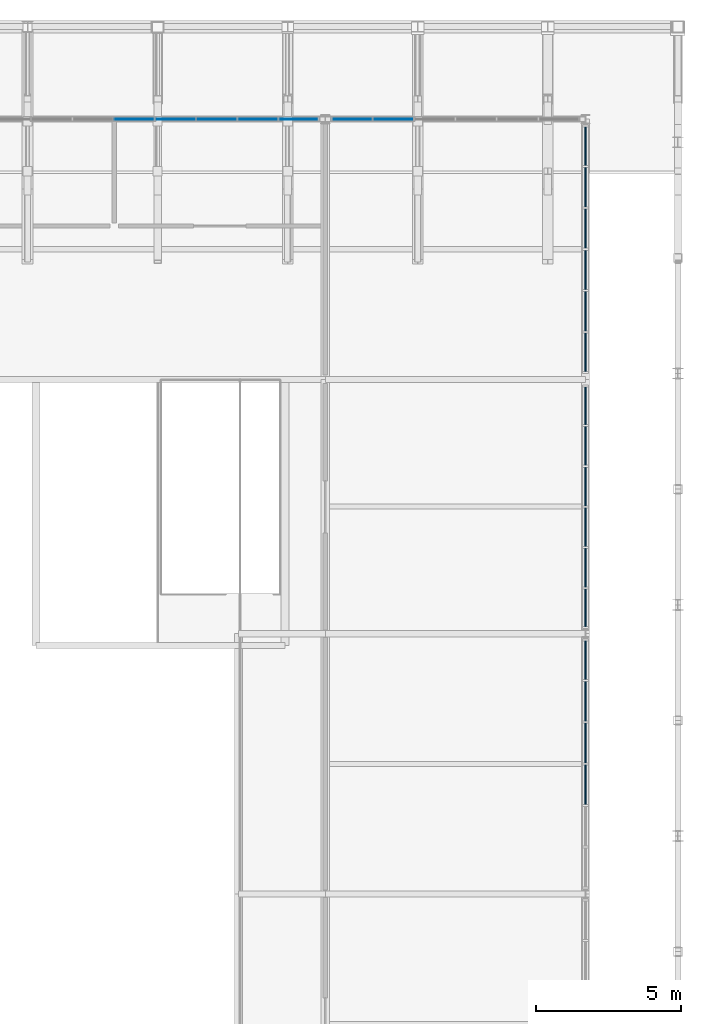
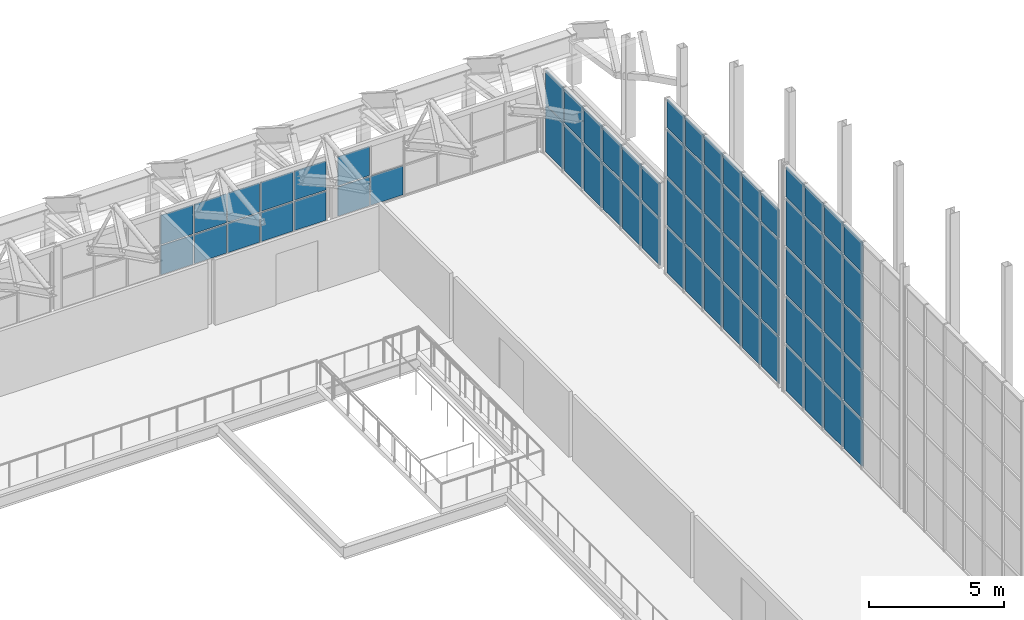
# One storey, part 104 of 134: 69 plates, 5 elements without a shape of their own.
"""IFC4 building model written with IfcOpenShell, lengths in metres."""

from ifc_helpers import new_model, si_unit, direction, frame, origin, origin_2d, place, context, subcontext, project, spatial, rectangle, extrude, material, layer, layer_set, type_object, element, aggregate, save


model = new_model("IFC4")

# Units and contexts
model_context = context("Model", 3, precision=1e-05, world=origin(), true_north=direction((0.0, 1.0)))
body_context = subcontext(model_context, "Body", "Model", "MODEL_VIEW")
ifc_project = project(units=[si_unit("LENGTHUNIT", "METRE"), si_unit("AREAUNIT", "SQUARE_METRE"), si_unit("VOLUMEUNIT", "CUBIC_METRE"), si_unit("PLANEANGLEUNIT", "RADIAN"), si_unit("MASSUNIT", "GRAM", prefix="KILO")], contexts=[model_context])

# Site, building, storey
site_placement = place(None, origin())
site = spatial("IfcSite", under=ifc_project, at=site_placement, CompositionType="ELEMENT")
building_placement = place(site_placement, origin())
building = spatial("IfcBuilding", under=site, at=building_placement, Name="Cazmaro Siding Exhibition Halls", CompositionType="ELEMENT")
storey_placement = place(building_placement, frame((0.0, 0.0, 12.0)))
storey = spatial("IfcBuildingStorey", under=building, at=storey_placement, Name="L02", CompositionType="ELEMENT", Elevation=12.0)

# Curtain wall, plates
ifc_material_1 = material(Name="Anodized Bronze Aluminum and Solar-Control Low-E Glazing", Category="aluminium")
ifc_layer_1 = layer(ifc_material_1, 0.219970703125)
ifc_layer_set_1 = layer_set([ifc_layer_1], Name="Anodized Bronze Aluminum and Solar-Control Low-E Glazing")
curtain_wall_type_1 = type_object("IfcCurtainWallType", Name="CWS-03", PredefinedType="USERDEFINED", material=ifc_layer_set_1)
curtain_wall_1_placement = place(storey_placement, origin())
curtain_wall_1 = element("IfcCurtainWall", 1, at=curtain_wall_1_placement, inside=storey, type_object=curtain_wall_type_1, Name="Glazed Curtain Wall CWS-03 CW-073", ObjectType="GLAZED CURTAIN WALL", PredefinedType="USERDEFINED")
ifc_material_2 = material(Name="Solar-Control Low-E Double Insulating Glass", Category="glass")
ifc_layer_2 = layer(ifc_material_2, 0.0458984375)
ifc_layer_set_2 = layer_set([ifc_layer_2], Name="Solar-Control Low-E Double Insulating Glass")
plate_type_1 = type_object("IfcPlateType", Name="CWP-03", PredefinedType="CURTAIN_PANEL", material=ifc_layer_set_2)
plate_1_placement = place(storey_placement, frame((167.800048828125, 97.779541015625, 0.06982421875), z_axis=(0.0, 0.0, 1.0), x_axis=(0.0, 1.0, 0.0)))
plate_1 = element("IfcPlate", 2, at=plate_1_placement, type_object=plate_type_1, Name="CWS-03 panel 3.1", PredefinedType="CURTAIN_PANEL", context=body_context, shape_type="SweptSolid", body=[
    extrude(rectangle(XDim=1.37109375, YDim=0.0458984375, at=origin_2d()), origin(), (0.0, 0.0, 1.0), 2.094970703125),
])
plate_2_placement = place(storey_placement, frame((167.800048828125, 97.779541015625, 2.235107421875), z_axis=(0.0, 0.0, 1.0), x_axis=(0.0, 1.0, 0.0)))
plate_2 = element("IfcPlate", 3, at=plate_2_placement, type_object=plate_type_1, Name="CWS-03 panel 3.2", PredefinedType="CURTAIN_PANEL", context=body_context, shape_type="SweptSolid", body=[
    extrude(rectangle(XDim=1.37109375, YDim=0.0458984375, at=origin_2d()), origin(), (0.0, 0.0, 1.0), 2.1298828125),
])
plate_3_placement = place(storey_placement, frame((167.800048828125, 97.779541015625, 4.43505859375), z_axis=(0.0, 0.0, 1.0), x_axis=(0.0, 1.0, 0.0)))
plate_3 = element("IfcPlate", 4, at=plate_3_placement, type_object=plate_type_1, Name="CWS-03 panel 3.3", PredefinedType="CURTAIN_PANEL", context=body_context, shape_type="SweptSolid", body=[
    extrude(rectangle(XDim=1.37109375, YDim=0.0458984375, at=origin_2d()), origin(), (0.0, 0.0, 1.0), 2.1298828125),
])
plate_4_placement = place(storey_placement, frame((167.800048828125, 97.779541015625, 6.635009765625), z_axis=(0.0, 0.0, 1.0), x_axis=(0.0, 1.0, 0.0)))
plate_4 = element("IfcPlate", 5, at=plate_4_placement, type_object=plate_type_1, Name="CWS-03 panel 3.4", PredefinedType="CURTAIN_PANEL", context=body_context, shape_type="SweptSolid", body=[
    extrude(rectangle(XDim=1.37109375, YDim=0.0458984375, at=origin_2d()), origin(), (0.0, 0.0, 1.0), 2.1298828125),
])
plate_5_placement = place(storey_placement, frame((167.800048828125, 97.779541015625, 8.8349609375), z_axis=(0.0, 0.0, 1.0), x_axis=(0.0, 1.0, 0.0)))
plate_5 = element("IfcPlate", 6, at=plate_5_placement, type_object=plate_type_1, Name="CWS-03 panel 3.5", PredefinedType="CURTAIN_PANEL", context=body_context, shape_type="SweptSolid", body=[
    extrude(rectangle(XDim=1.37109375, YDim=0.0458984375, at=origin_2d()), origin(), (0.0, 0.0, 1.0), 1.35302734375),
])
plate_6_placement = place(storey_placement, frame((167.800048828125, 99.220458984375, 0.06982421875), z_axis=(0.0, 0.0, 1.0), x_axis=(0.0, 1.0, 0.0)))
plate_6 = element("IfcPlate", 7, at=plate_6_placement, type_object=plate_type_1, Name="CWS-03 panel 4.1", PredefinedType="CURTAIN_PANEL", context=body_context, shape_type="SweptSolid", body=[
    extrude(rectangle(XDim=1.37109375, YDim=0.0458984375, at=origin_2d()), origin(), (0.0, 0.0, 1.0), 2.094970703125),
])
plate_7_placement = place(storey_placement, frame((167.800048828125, 99.220458984375, 2.235107421875), z_axis=(0.0, 0.0, 1.0), x_axis=(0.0, 1.0, 0.0)))
plate_7 = element("IfcPlate", 8, at=plate_7_placement, type_object=plate_type_1, Name="CWS-03 panel 4.2", PredefinedType="CURTAIN_PANEL", context=body_context, shape_type="SweptSolid", body=[
    extrude(rectangle(XDim=1.37109375, YDim=0.0458984375, at=origin_2d()), origin(), (0.0, 0.0, 1.0), 2.1298828125),
])
plate_8_placement = place(storey_placement, frame((167.800048828125, 99.220458984375, 4.43505859375), z_axis=(0.0, 0.0, 1.0), x_axis=(0.0, 1.0, 0.0)))
plate_8 = element("IfcPlate", 9, at=plate_8_placement, type_object=plate_type_1, Name="CWS-03 panel 4.3", PredefinedType="CURTAIN_PANEL", context=body_context, shape_type="SweptSolid", body=[
    extrude(rectangle(XDim=1.37109375, YDim=0.0458984375, at=origin_2d()), origin(), (0.0, 0.0, 1.0), 2.1298828125),
])
plate_9_placement = place(storey_placement, frame((167.800048828125, 99.220458984375, 6.635009765625), z_axis=(0.0, 0.0, 1.0), x_axis=(0.0, 1.0, 0.0)))
plate_9 = element("IfcPlate", 10, at=plate_9_placement, type_object=plate_type_1, Name="CWS-03 panel 4.4", PredefinedType="CURTAIN_PANEL", context=body_context, shape_type="SweptSolid", body=[
    extrude(rectangle(XDim=1.37109375, YDim=0.0458984375, at=origin_2d()), origin(), (0.0, 0.0, 1.0), 2.1298828125),
])
plate_10_placement = place(storey_placement, frame((167.800048828125, 99.220458984375, 8.8349609375), z_axis=(0.0, 0.0, 1.0), x_axis=(0.0, 1.0, 0.0)))
plate_10 = element("IfcPlate", 11, at=plate_10_placement, type_object=plate_type_1, Name="CWS-03 panel 4.5", PredefinedType="CURTAIN_PANEL", context=body_context, shape_type="SweptSolid", body=[
    extrude(rectangle(XDim=1.37109375, YDim=0.0458984375, at=origin_2d()), origin(), (0.0, 0.0, 1.0), 1.35302734375),
])
plate_11_placement = place(storey_placement, frame((167.800048828125, 100.66162109375, 0.06982421875), z_axis=(0.0, 0.0, 1.0), x_axis=(0.0, 1.0, 0.0)))
plate_11 = element("IfcPlate", 12, at=plate_11_placement, type_object=plate_type_1, Name="CWS-03 panel 5.1", PredefinedType="CURTAIN_PANEL", context=body_context, shape_type="SweptSolid", body=[
    extrude(rectangle(XDim=1.37109375, YDim=0.0458984375, at=origin_2d()), origin(), (0.0, 0.0, 1.0), 2.094970703125),
])
plate_12_placement = place(storey_placement, frame((167.800048828125, 100.66162109375, 2.235107421875), z_axis=(0.0, 0.0, 1.0), x_axis=(0.0, 1.0, 0.0)))
plate_12 = element("IfcPlate", 13, at=plate_12_placement, type_object=plate_type_1, Name="CWS-03 panel 5.2", PredefinedType="CURTAIN_PANEL", context=body_context, shape_type="SweptSolid", body=[
    extrude(rectangle(XDim=1.37109375, YDim=0.0458984375, at=origin_2d()), origin(), (0.0, 0.0, 1.0), 2.1298828125),
])
plate_13_placement = place(storey_placement, frame((167.800048828125, 100.66162109375, 4.43505859375), z_axis=(0.0, 0.0, 1.0), x_axis=(0.0, 1.0, 0.0)))
plate_13 = element("IfcPlate", 14, at=plate_13_placement, type_object=plate_type_1, Name="CWS-03 panel 5.3", PredefinedType="CURTAIN_PANEL", context=body_context, shape_type="SweptSolid", body=[
    extrude(rectangle(XDim=1.37109375, YDim=0.0458984375, at=origin_2d()), origin(), (0.0, 0.0, 1.0), 2.1298828125),
])
plate_14_placement = place(storey_placement, frame((167.800048828125, 100.66162109375, 6.635009765625), z_axis=(0.0, 0.0, 1.0), x_axis=(0.0, 1.0, 0.0)))
plate_14 = element("IfcPlate", 15, at=plate_14_placement, type_object=plate_type_1, Name="CWS-03 panel 5.4", PredefinedType="CURTAIN_PANEL", context=body_context, shape_type="SweptSolid", body=[
    extrude(rectangle(XDim=1.37109375, YDim=0.0458984375, at=origin_2d()), origin(), (0.0, 0.0, 1.0), 2.1298828125),
])
plate_15_placement = place(storey_placement, frame((167.800048828125, 100.66162109375, 8.8349609375), z_axis=(0.0, 0.0, 1.0), x_axis=(0.0, 1.0, 0.0)))
plate_15 = element("IfcPlate", 16, at=plate_15_placement, type_object=plate_type_1, Name="CWS-03 panel 5.5", PredefinedType="CURTAIN_PANEL", context=body_context, shape_type="SweptSolid", body=[
    extrude(rectangle(XDim=1.37109375, YDim=0.0458984375, at=origin_2d()), origin(), (0.0, 0.0, 1.0), 1.35302734375),
])
plate_16_placement = place(storey_placement, frame((167.800048828125, 102.0849609375, 0.06982421875), z_axis=(0.0, 0.0, 1.0), x_axis=(0.0, 1.0, 0.0)))
plate_16 = element("IfcPlate", 17, at=plate_16_placement, type_object=plate_type_1, Name="CWS-03 panel 6.1", PredefinedType="CURTAIN_PANEL", context=body_context, shape_type="SweptSolid", body=[
    extrude(rectangle(XDim=1.3359375, YDim=0.0458984375, at=origin_2d()), origin(), (0.0, 0.0, 1.0), 2.094970703125),
])
plate_17_placement = place(storey_placement, frame((167.800048828125, 102.0849609375, 2.235107421875), z_axis=(0.0, 0.0, 1.0), x_axis=(0.0, 1.0, 0.0)))
plate_17 = element("IfcPlate", 18, at=plate_17_placement, type_object=plate_type_1, Name="CWS-03 panel 6.2", PredefinedType="CURTAIN_PANEL", context=body_context, shape_type="SweptSolid", body=[
    extrude(rectangle(XDim=1.3359375, YDim=0.0458984375, at=origin_2d()), origin(), (0.0, 0.0, 1.0), 2.1298828125),
])
plate_18_placement = place(storey_placement, frame((167.800048828125, 102.0849609375, 4.43505859375), z_axis=(0.0, 0.0, 1.0), x_axis=(0.0, 1.0, 0.0)))
plate_18 = element("IfcPlate", 19, at=plate_18_placement, type_object=plate_type_1, Name="CWS-03 panel 6.3", PredefinedType="CURTAIN_PANEL", context=body_context, shape_type="SweptSolid", body=[
    extrude(rectangle(XDim=1.3359375, YDim=0.0458984375, at=origin_2d()), origin(), (0.0, 0.0, 1.0), 2.1298828125),
])
plate_19_placement = place(storey_placement, frame((167.800048828125, 102.0849609375, 6.635009765625), z_axis=(0.0, 0.0, 1.0), x_axis=(0.0, 1.0, 0.0)))
plate_19 = element("IfcPlate", 20, at=plate_19_placement, type_object=plate_type_1, Name="CWS-03 panel 6.4", PredefinedType="CURTAIN_PANEL", context=body_context, shape_type="SweptSolid", body=[
    extrude(rectangle(XDim=1.3359375, YDim=0.0458984375, at=origin_2d()), origin(), (0.0, 0.0, 1.0), 2.1298828125),
])
plate_20_placement = place(storey_placement, frame((167.800048828125, 102.0849609375, 8.8349609375), z_axis=(0.0, 0.0, 1.0), x_axis=(0.0, 1.0, 0.0)))
plate_20 = element("IfcPlate", 21, at=plate_20_placement, type_object=plate_type_1, Name="CWS-03 panel 6.5", PredefinedType="CURTAIN_PANEL", context=body_context, shape_type="SweptSolid", body=[
    extrude(rectangle(XDim=1.3359375, YDim=0.0458984375, at=origin_2d()), origin(), (0.0, 0.0, 1.0), 1.35302734375),
])
aggregate(curtain_wall_1, [plate_1, plate_2, plate_3, plate_4, plate_5, plate_6, plate_7, plate_8, plate_9, plate_10, plate_11, plate_12, plate_13, plate_14, plate_15, plate_16, plate_17, plate_18, plate_19, plate_20])

curtain_wall_2_placement = place(storey_placement, origin())
curtain_wall_2 = element("IfcCurtainWall", 22, at=curtain_wall_2_placement, inside=storey, type_object=curtain_wall_type_1, Name="Glazed Curtain Wall CWS-03 CW-076", ObjectType="GLAZED CURTAIN WALL", PredefinedType="USERDEFINED")
plate_21_placement = place(storey_placement, frame((167.800048828125, 103.896484375, 0.06982421875), z_axis=(0.0, 0.0, 1.0), x_axis=(0.0, 1.0, 0.0)))
plate_21 = element("IfcPlate", 23, at=plate_21_placement, type_object=plate_type_1, Name="CWS-03 panel 1.1", PredefinedType="CURTAIN_PANEL", context=body_context, shape_type="SweptSolid", body=[
    extrude(rectangle(XDim=1.299072265625, YDim=0.0458984375, at=origin_2d()), origin(), (0.0, 0.0, 1.0), 2.094970703125),
])
plate_22_placement = place(storey_placement, frame((167.800048828125, 103.896484375, 2.235107421875), z_axis=(0.0, 0.0, 1.0), x_axis=(0.0, 1.0, 0.0)))
plate_22 = element("IfcPlate", 24, at=plate_22_placement, type_object=plate_type_1, Name="CWS-03 panel 1.2", PredefinedType="CURTAIN_PANEL", context=body_context, shape_type="SweptSolid", body=[
    extrude(rectangle(XDim=1.299072265625, YDim=0.0458984375, at=origin_2d()), origin(), (0.0, 0.0, 1.0), 2.1298828125),
])
plate_23_placement = place(storey_placement, frame((167.800048828125, 103.896484375, 4.43505859375), z_axis=(0.0, 0.0, 1.0), x_axis=(0.0, 1.0, 0.0)))
plate_23 = element("IfcPlate", 25, at=plate_23_placement, type_object=plate_type_1, Name="CWS-03 panel 1.3", PredefinedType="CURTAIN_PANEL", context=body_context, shape_type="SweptSolid", body=[
    extrude(rectangle(XDim=1.299072265625, YDim=0.0458984375, at=origin_2d()), origin(), (0.0, 0.0, 1.0), 2.1298828125),
])
plate_24_placement = place(storey_placement, frame((167.800048828125, 103.896484375, 6.635009765625), z_axis=(0.0, 0.0, 1.0), x_axis=(0.0, 1.0, 0.0)))
plate_24 = element("IfcPlate", 26, at=plate_24_placement, type_object=plate_type_1, Name="CWS-03 panel 1.4", PredefinedType="CURTAIN_PANEL", context=body_context, shape_type="SweptSolid", body=[
    extrude(rectangle(XDim=1.299072265625, YDim=0.0458984375, at=origin_2d()), origin(), (0.0, 0.0, 1.0), 1.26806640625),
])
plate_25_placement = place(storey_placement, frame((167.800048828125, 105.283203125, 0.06982421875), z_axis=(0.0, 0.0, 1.0), x_axis=(0.0, 1.0, 0.0)))
plate_25 = element("IfcPlate", 27, at=plate_25_placement, type_object=plate_type_1, Name="CWS-03 panel 2.1", PredefinedType="CURTAIN_PANEL", context=body_context, shape_type="SweptSolid", body=[
    extrude(rectangle(XDim=1.334228515625, YDim=0.0458984375, at=origin_2d()), origin(), (0.0, 0.0, 1.0), 2.094970703125),
])
plate_26_placement = place(storey_placement, frame((167.800048828125, 105.283203125, 2.235107421875), z_axis=(0.0, 0.0, 1.0), x_axis=(0.0, 1.0, 0.0)))
plate_26 = element("IfcPlate", 28, at=plate_26_placement, type_object=plate_type_1, Name="CWS-03 panel 2.2", PredefinedType="CURTAIN_PANEL", context=body_context, shape_type="SweptSolid", body=[
    extrude(rectangle(XDim=1.334228515625, YDim=0.0458984375, at=origin_2d()), origin(), (0.0, 0.0, 1.0), 2.1298828125),
])
plate_27_placement = place(storey_placement, frame((167.800048828125, 105.283203125, 4.43505859375), z_axis=(0.0, 0.0, 1.0), x_axis=(0.0, 1.0, 0.0)))
plate_27 = element("IfcPlate", 29, at=plate_27_placement, type_object=plate_type_1, Name="CWS-03 panel 2.3", PredefinedType="CURTAIN_PANEL", context=body_context, shape_type="SweptSolid", body=[
    extrude(rectangle(XDim=1.334228515625, YDim=0.0458984375, at=origin_2d()), origin(), (0.0, 0.0, 1.0), 2.1298828125),
])
plate_28_placement = place(storey_placement, frame((167.800048828125, 105.283203125, 6.635009765625), z_axis=(0.0, 0.0, 1.0), x_axis=(0.0, 1.0, 0.0)))
plate_28 = element("IfcPlate", 30, at=plate_28_placement, type_object=plate_type_1, Name="CWS-03 panel 2.4", PredefinedType="CURTAIN_PANEL", context=body_context, shape_type="SweptSolid", body=[
    extrude(rectangle(XDim=1.334228515625, YDim=0.0458984375, at=origin_2d()), origin(), (0.0, 0.0, 1.0), 1.26806640625),
])
plate_29_placement = place(storey_placement, frame((167.800048828125, 106.6875, 0.06982421875), z_axis=(0.0, 0.0, 1.0), x_axis=(0.0, 1.0, 0.0)))
plate_29 = element("IfcPlate", 31, at=plate_29_placement, type_object=plate_type_1, Name="CWS-03 panel 3.1", PredefinedType="CURTAIN_PANEL", context=body_context, shape_type="SweptSolid", body=[
    extrude(rectangle(XDim=1.334228515625, YDim=0.0458984375, at=origin_2d()), origin(), (0.0, 0.0, 1.0), 2.094970703125),
])
plate_30_placement = place(storey_placement, frame((167.800048828125, 106.6875, 2.235107421875), z_axis=(0.0, 0.0, 1.0), x_axis=(0.0, 1.0, 0.0)))
plate_30 = element("IfcPlate", 32, at=plate_30_placement, type_object=plate_type_1, Name="CWS-03 panel 3.2", PredefinedType="CURTAIN_PANEL", context=body_context, shape_type="SweptSolid", body=[
    extrude(rectangle(XDim=1.334228515625, YDim=0.0458984375, at=origin_2d()), origin(), (0.0, 0.0, 1.0), 2.1298828125),
])
plate_31_placement = place(storey_placement, frame((167.800048828125, 106.6875, 4.43505859375), z_axis=(0.0, 0.0, 1.0), x_axis=(0.0, 1.0, 0.0)))
plate_31 = element("IfcPlate", 33, at=plate_31_placement, type_object=plate_type_1, Name="CWS-03 panel 3.3", PredefinedType="CURTAIN_PANEL", context=body_context, shape_type="SweptSolid", body=[
    extrude(rectangle(XDim=1.334228515625, YDim=0.0458984375, at=origin_2d()), origin(), (0.0, 0.0, 1.0), 2.1298828125),
])
plate_32_placement = place(storey_placement, frame((167.800048828125, 106.6875, 6.635009765625), z_axis=(0.0, 0.0, 1.0), x_axis=(0.0, 1.0, 0.0)))
plate_32 = element("IfcPlate", 34, at=plate_32_placement, type_object=plate_type_1, Name="CWS-03 panel 3.4", PredefinedType="CURTAIN_PANEL", context=body_context, shape_type="SweptSolid", body=[
    extrude(rectangle(XDim=1.334228515625, YDim=0.0458984375, at=origin_2d()), origin(), (0.0, 0.0, 1.0), 1.26806640625),
])
plate_33_placement = place(storey_placement, frame((167.800048828125, 108.091552734375, 0.06982421875), z_axis=(0.0, 0.0, 1.0), x_axis=(0.0, 1.0, 0.0)))
plate_33 = element("IfcPlate", 35, at=plate_33_placement, type_object=plate_type_1, Name="CWS-03 panel 4.1", PredefinedType="CURTAIN_PANEL", context=body_context, shape_type="SweptSolid", body=[
    extrude(rectangle(XDim=1.334228515625, YDim=0.0458984375, at=origin_2d()), origin(), (0.0, 0.0, 1.0), 2.094970703125),
])
plate_34_placement = place(storey_placement, frame((167.800048828125, 108.091552734375, 2.235107421875), z_axis=(0.0, 0.0, 1.0), x_axis=(0.0, 1.0, 0.0)))
plate_34 = element("IfcPlate", 36, at=plate_34_placement, type_object=plate_type_1, Name="CWS-03 panel 4.2", PredefinedType="CURTAIN_PANEL", context=body_context, shape_type="SweptSolid", body=[
    extrude(rectangle(XDim=1.334228515625, YDim=0.0458984375, at=origin_2d()), origin(), (0.0, 0.0, 1.0), 2.1298828125),
])
plate_35_placement = place(storey_placement, frame((167.800048828125, 108.091552734375, 4.43505859375), z_axis=(0.0, 0.0, 1.0), x_axis=(0.0, 1.0, 0.0)))
plate_35 = element("IfcPlate", 37, at=plate_35_placement, type_object=plate_type_1, Name="CWS-03 panel 4.3", PredefinedType="CURTAIN_PANEL", context=body_context, shape_type="SweptSolid", body=[
    extrude(rectangle(XDim=1.334228515625, YDim=0.0458984375, at=origin_2d()), origin(), (0.0, 0.0, 1.0), 2.1298828125),
])
plate_36_placement = place(storey_placement, frame((167.800048828125, 108.091552734375, 6.635009765625), z_axis=(0.0, 0.0, 1.0), x_axis=(0.0, 1.0, 0.0)))
plate_36 = element("IfcPlate", 38, at=plate_36_placement, type_object=plate_type_1, Name="CWS-03 panel 4.4", PredefinedType="CURTAIN_PANEL", context=body_context, shape_type="SweptSolid", body=[
    extrude(rectangle(XDim=1.334228515625, YDim=0.0458984375, at=origin_2d()), origin(), (0.0, 0.0, 1.0), 1.26806640625),
])
plate_37_placement = place(storey_placement, frame((167.800048828125, 109.495849609375, 0.06982421875), z_axis=(0.0, 0.0, 1.0), x_axis=(0.0, 1.0, 0.0)))
plate_37 = element("IfcPlate", 39, at=plate_37_placement, type_object=plate_type_1, Name="CWS-03 panel 5.1", PredefinedType="CURTAIN_PANEL", context=body_context, shape_type="SweptSolid", body=[
    extrude(rectangle(XDim=1.334228515625, YDim=0.0458984375, at=origin_2d()), origin(), (0.0, 0.0, 1.0), 2.094970703125),
])
plate_38_placement = place(storey_placement, frame((167.800048828125, 109.495849609375, 2.235107421875), z_axis=(0.0, 0.0, 1.0), x_axis=(0.0, 1.0, 0.0)))
plate_38 = element("IfcPlate", 40, at=plate_38_placement, type_object=plate_type_1, Name="CWS-03 panel 5.2", PredefinedType="CURTAIN_PANEL", context=body_context, shape_type="SweptSolid", body=[
    extrude(rectangle(XDim=1.334228515625, YDim=0.0458984375, at=origin_2d()), origin(), (0.0, 0.0, 1.0), 2.1298828125),
])
plate_39_placement = place(storey_placement, frame((167.800048828125, 109.495849609375, 4.43505859375), z_axis=(0.0, 0.0, 1.0), x_axis=(0.0, 1.0, 0.0)))
plate_39 = element("IfcPlate", 41, at=plate_39_placement, type_object=plate_type_1, Name="CWS-03 panel 5.3", PredefinedType="CURTAIN_PANEL", context=body_context, shape_type="SweptSolid", body=[
    extrude(rectangle(XDim=1.334228515625, YDim=0.0458984375, at=origin_2d()), origin(), (0.0, 0.0, 1.0), 2.1298828125),
])
plate_40_placement = place(storey_placement, frame((167.800048828125, 109.495849609375, 6.635009765625), z_axis=(0.0, 0.0, 1.0), x_axis=(0.0, 1.0, 0.0)))
plate_40 = element("IfcPlate", 42, at=plate_40_placement, type_object=plate_type_1, Name="CWS-03 panel 5.4", PredefinedType="CURTAIN_PANEL", context=body_context, shape_type="SweptSolid", body=[
    extrude(rectangle(XDim=1.334228515625, YDim=0.0458984375, at=origin_2d()), origin(), (0.0, 0.0, 1.0), 1.26806640625),
])
plate_41_placement = place(storey_placement, frame((167.800048828125, 110.88232421875, 0.06982421875), z_axis=(0.0, 0.0, 1.0), x_axis=(0.0, 1.0, 0.0)))
plate_41 = element("IfcPlate", 43, at=plate_41_placement, type_object=plate_type_1, Name="CWS-03 panel 6.1", PredefinedType="CURTAIN_PANEL", context=body_context, shape_type="SweptSolid", body=[
    extrude(rectangle(XDim=1.299072265625, YDim=0.0458984375, at=origin_2d()), origin(), (0.0, 0.0, 1.0), 2.094970703125),
])
plate_42_placement = place(storey_placement, frame((167.800048828125, 110.88232421875, 2.235107421875), z_axis=(0.0, 0.0, 1.0), x_axis=(0.0, 1.0, 0.0)))
plate_42 = element("IfcPlate", 44, at=plate_42_placement, type_object=plate_type_1, Name="CWS-03 panel 6.2", PredefinedType="CURTAIN_PANEL", context=body_context, shape_type="SweptSolid", body=[
    extrude(rectangle(XDim=1.299072265625, YDim=0.0458984375, at=origin_2d()), origin(), (0.0, 0.0, 1.0), 2.1298828125),
])
plate_43_placement = place(storey_placement, frame((167.800048828125, 110.88232421875, 4.43505859375), z_axis=(0.0, 0.0, 1.0), x_axis=(0.0, 1.0, 0.0)))
plate_43 = element("IfcPlate", 45, at=plate_43_placement, type_object=plate_type_1, Name="CWS-03 panel 6.3", PredefinedType="CURTAIN_PANEL", context=body_context, shape_type="SweptSolid", body=[
    extrude(rectangle(XDim=1.299072265625, YDim=0.0458984375, at=origin_2d()), origin(), (0.0, 0.0, 1.0), 2.1298828125),
])
plate_44_placement = place(storey_placement, frame((167.800048828125, 110.88232421875, 6.635009765625), z_axis=(0.0, 0.0, 1.0), x_axis=(0.0, 1.0, 0.0)))
plate_44 = element("IfcPlate", 46, at=plate_44_placement, type_object=plate_type_1, Name="CWS-03 panel 6.4", PredefinedType="CURTAIN_PANEL", context=body_context, shape_type="SweptSolid", body=[
    extrude(rectangle(XDim=1.299072265625, YDim=0.0458984375, at=origin_2d()), origin(), (0.0, 0.0, 1.0), 1.26806640625),
])
aggregate(curtain_wall_2, [plate_21, plate_22, plate_23, plate_24, plate_25, plate_26, plate_27, plate_28, plate_29, plate_30, plate_31, plate_32, plate_33, plate_34, plate_35, plate_36, plate_37, plate_38, plate_39, plate_40, plate_41, plate_42, plate_43, plate_44])

curtain_wall_3_placement = place(storey_placement, origin())
curtain_wall_3 = element("IfcCurtainWall", 47, at=curtain_wall_3_placement, inside=storey, type_object=curtain_wall_type_1, Name="Glazed Curtain Wall CWS-03 CW-079", ObjectType="GLAZED CURTAIN WALL", PredefinedType="USERDEFINED")
plate_45_placement = place(storey_placement, frame((167.800048828125, 112.732421875, 0.06982421875), z_axis=(0.0, 0.0, 1.0), x_axis=(0.0, 1.0, 0.0)))
plate_45 = element("IfcPlate", 48, at=plate_45_placement, type_object=plate_type_1, Name="CWS-03 panel 1.1", PredefinedType="CURTAIN_PANEL", context=body_context, shape_type="SweptSolid", body=[
    extrude(rectangle(XDim=1.3291015625, YDim=0.0458984375, at=origin_2d()), origin(), (0.0, 0.0, 1.0), 2.094970703125),
])
plate_46_placement = place(storey_placement, frame((167.800048828125, 112.732421875, 2.235107421875), z_axis=(0.0, 0.0, 1.0), x_axis=(0.0, 1.0, 0.0)))
plate_46 = element("IfcPlate", 49, at=plate_46_placement, type_object=plate_type_1, Name="CWS-03 panel 1.2", PredefinedType="CURTAIN_PANEL", context=body_context, shape_type="SweptSolid", body=[
    extrude(rectangle(XDim=1.3291015625, YDim=0.0458984375, at=origin_2d()), origin(), (0.0, 0.0, 1.0), 1.52001953125),
])
plate_47_placement = place(storey_placement, frame((167.800048828125, 114.14892578125, 0.06982421875), z_axis=(0.0, 0.0, 1.0), x_axis=(0.0, 1.0, 0.0)))
plate_47 = element("IfcPlate", 50, at=plate_47_placement, type_object=plate_type_1, Name="CWS-03 panel 2.1", PredefinedType="CURTAIN_PANEL", context=body_context, shape_type="SweptSolid", body=[
    extrude(rectangle(XDim=1.364013671875, YDim=0.0458984375, at=origin_2d()), origin(), (0.0, 0.0, 1.0), 2.094970703125),
])
plate_48_placement = place(storey_placement, frame((167.800048828125, 114.14892578125, 2.235107421875), z_axis=(0.0, 0.0, 1.0), x_axis=(0.0, 1.0, 0.0)))
plate_48 = element("IfcPlate", 51, at=plate_48_placement, type_object=plate_type_1, Name="CWS-03 panel 2.2", PredefinedType="CURTAIN_PANEL", context=body_context, shape_type="SweptSolid", body=[
    extrude(rectangle(XDim=1.364013671875, YDim=0.0458984375, at=origin_2d()), origin(), (0.0, 0.0, 1.0), 1.52001953125),
])
plate_49_placement = place(storey_placement, frame((167.800048828125, 115.5830078125, 0.06982421875), z_axis=(0.0, 0.0, 1.0), x_axis=(0.0, 1.0, 0.0)))
plate_49 = element("IfcPlate", 52, at=plate_49_placement, type_object=plate_type_1, Name="CWS-03 panel 3.1", PredefinedType="CURTAIN_PANEL", context=body_context, shape_type="SweptSolid", body=[
    extrude(rectangle(XDim=1.364013671875, YDim=0.0458984375, at=origin_2d()), origin(), (0.0, 0.0, 1.0), 2.094970703125),
])
plate_50_placement = place(storey_placement, frame((167.800048828125, 115.5830078125, 2.235107421875), z_axis=(0.0, 0.0, 1.0), x_axis=(0.0, 1.0, 0.0)))
plate_50 = element("IfcPlate", 53, at=plate_50_placement, type_object=plate_type_1, Name="CWS-03 panel 3.2", PredefinedType="CURTAIN_PANEL", context=body_context, shape_type="SweptSolid", body=[
    extrude(rectangle(XDim=1.364013671875, YDim=0.0458984375, at=origin_2d()), origin(), (0.0, 0.0, 1.0), 1.52001953125),
])
plate_51_placement = place(storey_placement, frame((167.800048828125, 117.01708984375, 0.06982421875), z_axis=(0.0, 0.0, 1.0), x_axis=(0.0, 1.0, 0.0)))
plate_51 = element("IfcPlate", 54, at=plate_51_placement, type_object=plate_type_1, Name="CWS-03 panel 4.1", PredefinedType="CURTAIN_PANEL", context=body_context, shape_type="SweptSolid", body=[
    extrude(rectangle(XDim=1.364013671875, YDim=0.0458984375, at=origin_2d()), origin(), (0.0, 0.0, 1.0), 2.094970703125),
])
plate_52_placement = place(storey_placement, frame((167.800048828125, 117.01708984375, 2.235107421875), z_axis=(0.0, 0.0, 1.0), x_axis=(0.0, 1.0, 0.0)))
plate_52 = element("IfcPlate", 55, at=plate_52_placement, type_object=plate_type_1, Name="CWS-03 panel 4.2", PredefinedType="CURTAIN_PANEL", context=body_context, shape_type="SweptSolid", body=[
    extrude(rectangle(XDim=1.364013671875, YDim=0.0458984375, at=origin_2d()), origin(), (0.0, 0.0, 1.0), 1.52001953125),
])
plate_53_placement = place(storey_placement, frame((167.800048828125, 118.450927734375, 0.06982421875), z_axis=(0.0, 0.0, 1.0), x_axis=(0.0, 1.0, 0.0)))
plate_53 = element("IfcPlate", 56, at=plate_53_placement, type_object=plate_type_1, Name="CWS-03 panel 5.1", PredefinedType="CURTAIN_PANEL", context=body_context, shape_type="SweptSolid", body=[
    extrude(rectangle(XDim=1.364013671875, YDim=0.0458984375, at=origin_2d()), origin(), (0.0, 0.0, 1.0), 2.094970703125),
])
plate_54_placement = place(storey_placement, frame((167.800048828125, 118.450927734375, 2.235107421875), z_axis=(0.0, 0.0, 1.0), x_axis=(0.0, 1.0, 0.0)))
plate_54 = element("IfcPlate", 57, at=plate_54_placement, type_object=plate_type_1, Name="CWS-03 panel 5.2", PredefinedType="CURTAIN_PANEL", context=body_context, shape_type="SweptSolid", body=[
    extrude(rectangle(XDim=1.364013671875, YDim=0.0458984375, at=origin_2d()), origin(), (0.0, 0.0, 1.0), 1.52001953125),
])
plate_55_placement = place(storey_placement, frame((167.800048828125, 119.867431640625, 0.06982421875), z_axis=(0.0, 0.0, 1.0), x_axis=(0.0, 1.0, 0.0)))
plate_55 = element("IfcPlate", 58, at=plate_55_placement, type_object=plate_type_1, Name="CWS-03 panel 6.1", PredefinedType="CURTAIN_PANEL", context=body_context, shape_type="SweptSolid", body=[
    extrude(rectangle(XDim=1.3291015625, YDim=0.0458984375, at=origin_2d()), origin(), (0.0, 0.0, 1.0), 2.094970703125),
])
plate_56_placement = place(storey_placement, frame((167.800048828125, 119.867431640625, 2.235107421875), z_axis=(0.0, 0.0, 1.0), x_axis=(0.0, 1.0, 0.0)))
plate_56 = element("IfcPlate", 59, at=plate_56_placement, type_object=plate_type_1, Name="CWS-03 panel 6.2", PredefinedType="CURTAIN_PANEL", context=body_context, shape_type="SweptSolid", body=[
    extrude(rectangle(XDim=1.3291015625, YDim=0.0458984375, at=origin_2d()), origin(), (0.0, 0.0, 1.0), 1.52001953125),
])
aggregate(curtain_wall_3, [plate_45, plate_46, plate_47, plate_48, plate_49, plate_50, plate_51, plate_52, plate_53, plate_54, plate_55, plate_56])

ifc_material_3 = material(Name="Anodized Bronze Aluminum and Solar-Control Low-E Glazing", Category="aluminium")
ifc_layer_3 = layer(ifc_material_3, 0.159912109375)
ifc_layer_set_3 = layer_set([ifc_layer_3], Name="Anodized Bronze Aluminum and Solar-Control Low-E Glazing")
curtain_wall_type_2 = type_object("IfcCurtainWallType", Name="CWS-04", PredefinedType="USERDEFINED", material=ifc_layer_set_3)
curtain_wall_4_placement = place(storey_placement, origin())
curtain_wall_4 = element("IfcCurtainWall", 60, at=curtain_wall_4_placement, inside=storey, type_object=curtain_wall_type_2, Name="Clerestory Curtain Wall CWS-04 CW-047", ObjectType="CLERESTORY CURTAIN WALL", PredefinedType="USERDEFINED")
ifc_material_4 = material(Name="Solar-Control Low-E Double Insulating Glass", Category="glass")
ifc_layer_4 = layer(ifc_material_4, 0.028076171875)
ifc_layer_set_4 = layer_set([ifc_layer_4], Name="Solar-Control Low-E Double Insulating Glass")
plate_type_2 = type_object("IfcPlateType", Name="CWP-04", PredefinedType="CURTAIN_PANEL", material=ifc_layer_set_4)
plate_57_placement = place(storey_placement, frame((157.875244140625, 120.800048828125, 0.06005859375), z_axis=(0.0, 0.0, 1.0), x_axis=(-1.0, 0.0, 0.0)))
plate_57 = element("IfcPlate", 61, at=plate_57_placement, type_object=plate_type_2, Name="CWS-04 panel 1.1", PredefinedType="CURTAIN_PANEL", context=body_context, shape_type="SweptSolid", body=[
    extrude(rectangle(XDim=1.335693359375, YDim=0.028076171875, at=origin_2d()), origin(), (0.0, 0.0, 1.0), 1.31005859375),
])
plate_58_placement = place(storey_placement, frame((157.875244140625, 120.800048828125, 1.429931640625), z_axis=(0.0, 0.0, 1.0), x_axis=(-1.0, 0.0, 0.0)))
plate_58 = element("IfcPlate", 62, at=plate_58_placement, type_object=plate_type_2, Name="CWS-04 panel 1.2", PredefinedType="CURTAIN_PANEL", context=body_context, shape_type="SweptSolid", body=[
    extrude(rectangle(XDim=1.335693359375, YDim=0.028076171875, at=origin_2d()), origin(), (0.0, 0.0, 1.0), 1.31005859375),
])
plate_59_placement = place(storey_placement, frame((156.46435546875, 120.800048828125, 0.06005859375), z_axis=(0.0, 0.0, 1.0), x_axis=(-1.0, 0.0, 0.0)))
plate_59 = element("IfcPlate", 63, at=plate_59_placement, type_object=plate_type_2, Name="CWS-04 panel 2.1", PredefinedType="CURTAIN_PANEL", context=body_context, shape_type="SweptSolid", body=[
    extrude(rectangle(XDim=1.36572265625, YDim=0.028076171875, at=origin_2d()), origin(), (0.0, 0.0, 1.0), 1.31005859375),
])
plate_60_placement = place(storey_placement, frame((156.46435546875, 120.800048828125, 1.429931640625), z_axis=(0.0, 0.0, 1.0), x_axis=(-1.0, 0.0, 0.0)))
plate_60 = element("IfcPlate", 64, at=plate_60_placement, type_object=plate_type_2, Name="CWS-04 panel 2.2", PredefinedType="CURTAIN_PANEL", context=body_context, shape_type="SweptSolid", body=[
    extrude(rectangle(XDim=1.36572265625, YDim=0.028076171875, at=origin_2d()), origin(), (0.0, 0.0, 1.0), 1.31005859375),
])
plate_61_placement = place(storey_placement, frame((155.03857421875, 120.800048828125, 0.06005859375), z_axis=(0.0, 0.0, 1.0), x_axis=(-1.0, 0.0, 0.0)))
plate_61 = element("IfcPlate", 65, at=plate_61_placement, type_object=plate_type_2, Name="CWS-04 panel 3.1", PredefinedType="CURTAIN_PANEL", context=body_context, shape_type="SweptSolid", body=[
    extrude(rectangle(XDim=1.36572265625, YDim=0.028076171875, at=origin_2d()), origin(), (0.0, 0.0, 1.0), 1.31005859375),
])
plate_62_placement = place(storey_placement, frame((155.03857421875, 120.800048828125, 1.429931640625), z_axis=(0.0, 0.0, 1.0), x_axis=(-1.0, 0.0, 0.0)))
plate_62 = element("IfcPlate", 66, at=plate_62_placement, type_object=plate_type_2, Name="CWS-04 panel 3.2", PredefinedType="CURTAIN_PANEL", context=body_context, shape_type="SweptSolid", body=[
    extrude(rectangle(XDim=1.36572265625, YDim=0.028076171875, at=origin_2d()), origin(), (0.0, 0.0, 1.0), 1.31005859375),
])
plate_63_placement = place(storey_placement, frame((153.61279296875, 120.800048828125, 0.06005859375), z_axis=(0.0, 0.0, 1.0), x_axis=(-1.0, 0.0, 0.0)))
plate_63 = element("IfcPlate", 67, at=plate_63_placement, type_object=plate_type_2, Name="CWS-04 panel 4.1", PredefinedType="CURTAIN_PANEL", context=body_context, shape_type="SweptSolid", body=[
    extrude(rectangle(XDim=1.36572265625, YDim=0.028076171875, at=origin_2d()), origin(), (0.0, 0.0, 1.0), 1.31005859375),
])
plate_64_placement = place(storey_placement, frame((153.61279296875, 120.800048828125, 1.429931640625), z_axis=(0.0, 0.0, 1.0), x_axis=(-1.0, 0.0, 0.0)))
plate_64 = element("IfcPlate", 68, at=plate_64_placement, type_object=plate_type_2, Name="CWS-04 panel 4.2", PredefinedType="CURTAIN_PANEL", context=body_context, shape_type="SweptSolid", body=[
    extrude(rectangle(XDim=1.36572265625, YDim=0.028076171875, at=origin_2d()), origin(), (0.0, 0.0, 1.0), 1.31005859375),
])
plate_65_placement = place(storey_placement, frame((152.18701171875, 120.800048828125, 0.06005859375), z_axis=(0.0, 0.0, 1.0), x_axis=(-1.0, 0.0, 0.0)))
plate_65 = element("IfcPlate", 69, at=plate_65_placement, type_object=plate_type_2, Name="CWS-04 panel 5.1", PredefinedType="CURTAIN_PANEL", context=body_context, shape_type="SweptSolid", body=[
    extrude(rectangle(XDim=1.36572265625, YDim=0.028076171875, at=origin_2d()), origin(), (0.0, 0.0, 1.0), 1.31005859375),
])
plate_66_placement = place(storey_placement, frame((152.18701171875, 120.800048828125, 1.429931640625), z_axis=(0.0, 0.0, 1.0), x_axis=(-1.0, 0.0, 0.0)))
plate_66 = element("IfcPlate", 70, at=plate_66_placement, type_object=plate_type_2, Name="CWS-04 panel 5.2", PredefinedType="CURTAIN_PANEL", context=body_context, shape_type="SweptSolid", body=[
    extrude(rectangle(XDim=1.36572265625, YDim=0.028076171875, at=origin_2d()), origin(), (0.0, 0.0, 1.0), 1.31005859375),
])
aggregate(curtain_wall_4, [plate_57, plate_58, plate_59, plate_60, plate_61, plate_62, plate_63, plate_64, plate_65, plate_66])

curtain_wall_5_placement = place(storey_placement, origin())
curtain_wall_5 = element("IfcCurtainWall", 71, at=curtain_wall_5_placement, inside=storey, type_object=curtain_wall_type_2, Name="Clerestory Curtain Wall CWS-04 CW-049", ObjectType="CLERESTORY CURTAIN WALL", PredefinedType="USERDEFINED")
plate_67_placement = place(storey_placement, frame((161.1484375, 120.800048828125, 0.06005859375), z_axis=(0.0, 0.0, 1.0), x_axis=(-1.0, 0.0, 0.0)))
plate_67 = element("IfcPlate", 72, at=plate_67_placement, type_object=plate_type_2, Name="CWS-04 panel 5.1", PredefinedType="CURTAIN_PANEL", context=body_context, shape_type="SweptSolid", body=[
    extrude(rectangle(XDim=1.374267578125, YDim=0.028076171875, at=origin_2d()), origin(), (0.0, 0.0, 1.0), 1.31005859375),
])
plate_68_placement = place(storey_placement, frame((159.729248046875, 120.800048828125, 0.06005859375), z_axis=(0.0, 0.0, 1.0), x_axis=(-1.0, 0.0, 0.0)))
plate_68 = element("IfcPlate", 73, at=plate_68_placement, type_object=plate_type_2, Name="CWS-04 panel 6.1", PredefinedType="CURTAIN_PANEL", context=body_context, shape_type="SweptSolid", body=[
    extrude(rectangle(XDim=1.34423828125, YDim=0.028076171875, at=origin_2d()), origin(), (0.0, 0.0, 1.0), 1.31005859375),
])
plate_69_placement = place(storey_placement, frame((159.729248046875, 120.800048828125, 1.429931640625), z_axis=(0.0, 0.0, 1.0), x_axis=(-1.0, 0.0, 0.0)))
plate_69 = element("IfcPlate", 74, at=plate_69_placement, type_object=plate_type_2, Name="CWS-04 panel 6.2", PredefinedType="CURTAIN_PANEL", context=body_context, shape_type="SweptSolid", body=[
    extrude(rectangle(XDim=1.34423828125, YDim=0.028076171875, at=origin_2d()), origin(), (0.0, 0.0, 1.0), 1.31005859375),
])
aggregate(curtain_wall_5, [plate_67, plate_68, plate_69])

save(model, "model.ifc")
